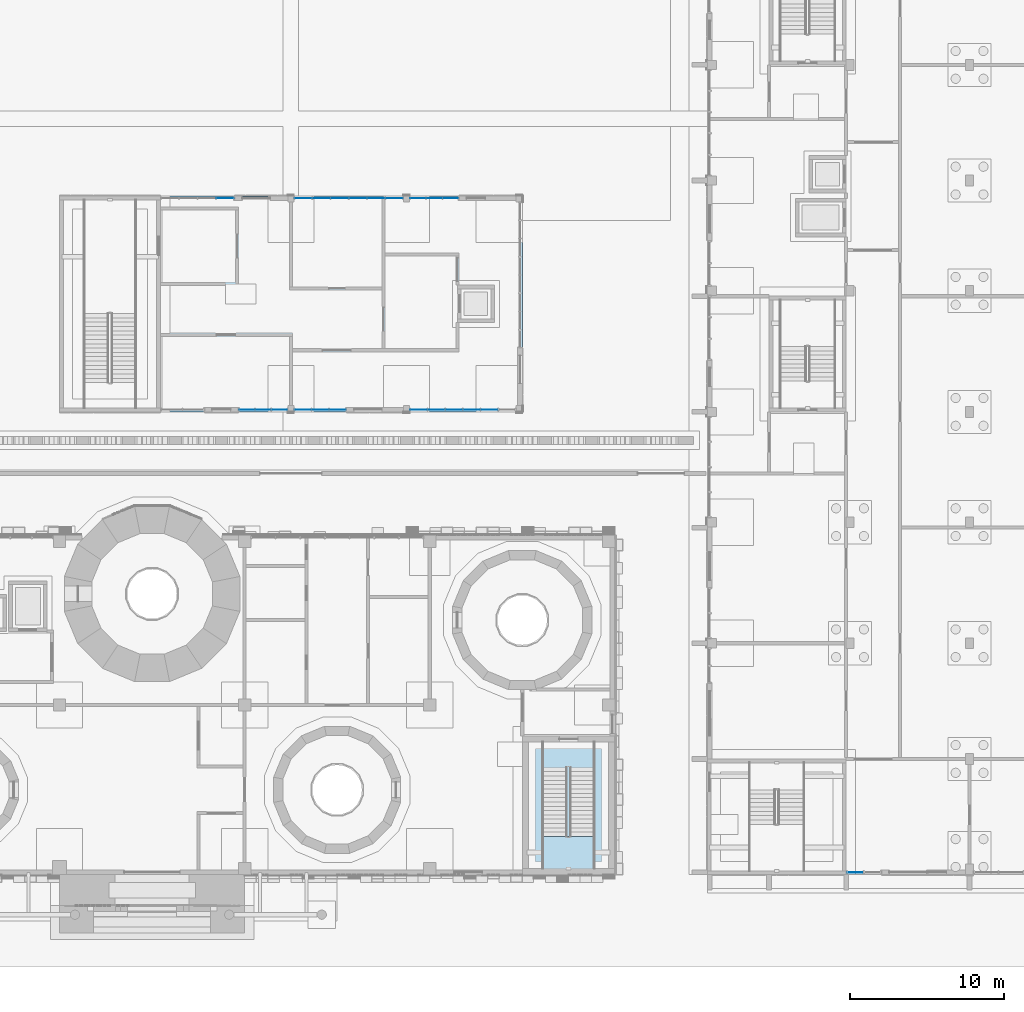
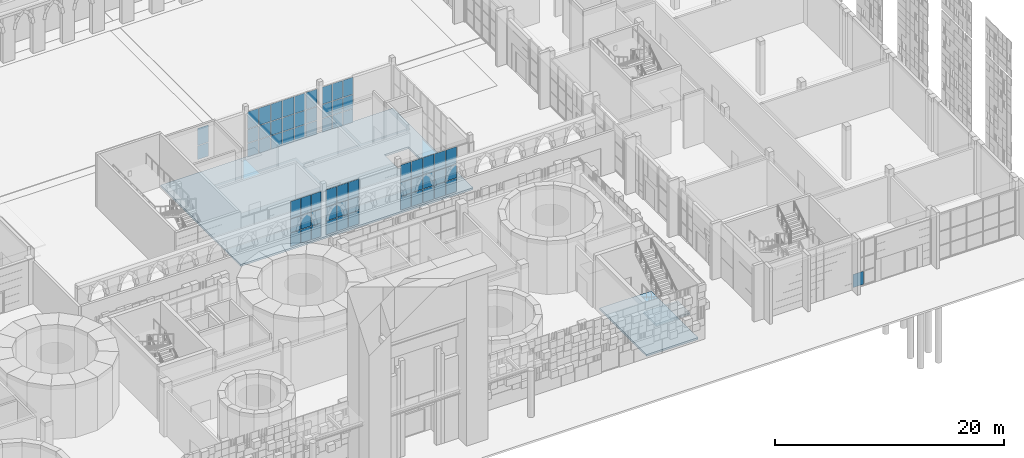
# One storey, part 42 of 125: 63 plates, 3 slabs, 8 elements without a shape of their own.
"""IFC4 building model written with IfcOpenShell, lengths in metres."""

from ifc_helpers import new_model, si_unit, direction, frame, origin, origin_2d, place, context, subcontext, project, spatial, polyline, rectangle, outline, extrude, material, layer, layer_set, type_object, element, aggregate, save


model = new_model("IFC4")

# Units and contexts
model_context = context("Model", 3, precision=1e-05, world=origin(), true_north=direction((0.0, 1.0)))
body_context = subcontext(model_context, "Body", "Model", "MODEL_VIEW")
ifc_project = project(units=[si_unit("LENGTHUNIT", "METRE"), si_unit("AREAUNIT", "SQUARE_METRE"), si_unit("VOLUMEUNIT", "CUBIC_METRE"), si_unit("PLANEANGLEUNIT", "RADIAN"), si_unit("MASSUNIT", "GRAM", prefix="KILO")], contexts=[model_context])

# Site, building, storey
site_placement = place(None, origin())
site = spatial("IfcSite", under=ifc_project, at=site_placement, CompositionType="ELEMENT")
building_placement = place(site_placement, origin())
building = spatial("IfcBuilding", under=site, at=building_placement, Name="Sun Court Science Centre", CompositionType="ELEMENT")
storey_placement = place(building_placement, origin())
storey = spatial("IfcBuildingStorey", under=building, at=storey_placement, Name="L00", CompositionType="ELEMENT", Elevation=0.0)

# Curtain wall, plates
ifc_material_1 = material(Name="Aluminium EN AW-6063 T6", Category="aluminium")
curtain_wall_type_1 = type_object("IfcCurtainWallType", Name="Pavilion curtain wall 1200", PredefinedType="NOTDEFINED", material=ifc_material_1)
curtain_wall_1_placement = place(storey_placement, origin())
curtain_wall_1 = element("IfcCurtainWall", 1, at=curtain_wall_1_placement, inside=storey, type_object=curtain_wall_type_1, Name="Curtain wall V5 S L00 01", PredefinedType="NOTDEFINED")
ifc_material_2 = material(Name="Toughened safety glass", Category="glass")
ifc_layer_1 = layer(ifc_material_2, 0.0107421875)
ifc_layer_set_1 = layer_set([ifc_layer_1], Name="Toughened safety glass")
plate_type_1 = type_object("IfcPlateType", Name="Pavilion toughened glazing panel 10.8", PredefinedType="CURTAIN_PANEL", material=ifc_layer_set_1)
plate_1_placement = place(storey_placement, frame((59.28759765625, 36.14990234375, 0.0498046875), z_axis=(0.0, 0.0, 1.0), x_axis=(-1.0, 0.0, 0.0)))
plate_1 = element("IfcPlate", 2, at=plate_1_placement, type_object=plate_type_1, Name="CW3-01 panel 6.1", PredefinedType="CURTAIN_PANEL", context=body_context, shape_type="SweptSolid", body=[
    extrude(rectangle(XDim=1.074951171875, YDim=0.0107421875, at=origin_2d()), origin(), (0.0, 0.0, 1.0), 1.425048828125),
])
plate_2_placement = place(storey_placement, frame((60.425048828125, 36.14990234375, 0.0498046875), z_axis=(0.0, 0.0, 1.0), x_axis=(-1.0, 0.0, 0.0)))
plate_2 = element("IfcPlate", 3, at=plate_2_placement, type_object=plate_type_1, Name="CW3-01 panel 5.1", PredefinedType="CURTAIN_PANEL", context=body_context, shape_type="SweptSolid", body=[
    extrude(rectangle(XDim=1.10009765625, YDim=0.0107421875, at=origin_2d()), origin(), (0.0, 0.0, 1.0), 1.425048828125),
])
plate_3_placement = place(storey_placement, frame((61.574951171875, 36.14990234375, 0.0498046875), z_axis=(0.0, 0.0, 1.0), x_axis=(-1.0, 0.0, 0.0)))
plate_3 = element("IfcPlate", 4, at=plate_3_placement, type_object=plate_type_1, Name="CW3-01 panel 4.1", PredefinedType="CURTAIN_PANEL", context=body_context, shape_type="SweptSolid", body=[
    extrude(rectangle(XDim=1.10009765625, YDim=0.0107421875, at=origin_2d()), origin(), (0.0, 0.0, 1.0), 1.425048828125),
])
plate_4_placement = place(storey_placement, frame((62.72509765625, 36.14990234375, 0.0498046875), z_axis=(0.0, 0.0, 1.0), x_axis=(-1.0, 0.0, 0.0)))
plate_4 = element("IfcPlate", 5, at=plate_4_placement, type_object=plate_type_1, Name="CW3-01 panel 3.1", PredefinedType="CURTAIN_PANEL", context=body_context, shape_type="SweptSolid", body=[
    extrude(rectangle(XDim=1.10009765625, YDim=0.0107421875, at=origin_2d()), origin(), (0.0, 0.0, 1.0), 1.425048828125),
])
plate_5_placement = place(storey_placement, frame((63.875, 36.14990234375, 0.0498046875), z_axis=(0.0, 0.0, 1.0), x_axis=(-1.0, 0.0, 0.0)))
plate_5 = element("IfcPlate", 6, at=plate_5_placement, type_object=plate_type_1, Name="CW3-01 panel 2.1", PredefinedType="CURTAIN_PANEL", context=body_context, shape_type="SweptSolid", body=[
    extrude(rectangle(XDim=1.10009765625, YDim=0.0107421875, at=origin_2d()), origin(), (0.0, 0.0, 1.0), 1.425048828125),
])
plate_6_placement = place(storey_placement, frame((59.28759765625, 36.14990234375, 1.52490234375), z_axis=(0.0, 0.0, 1.0), x_axis=(-1.0, 0.0, 0.0)))
plate_6 = element("IfcPlate", 7, at=plate_6_placement, type_object=plate_type_1, Name="CW3-01 panel 6.2", PredefinedType="CURTAIN_PANEL", context=body_context, shape_type="SweptSolid", body=[
    extrude(rectangle(XDim=1.074951171875, YDim=0.0107421875, at=origin_2d()), origin(), (0.0, 0.0, 1.0), 1.449951171875),
])
plate_7_placement = place(storey_placement, frame((60.425048828125, 36.14990234375, 1.52490234375), z_axis=(0.0, 0.0, 1.0), x_axis=(-1.0, 0.0, 0.0)))
plate_7 = element("IfcPlate", 8, at=plate_7_placement, type_object=plate_type_1, Name="CW3-01 panel 5.2", PredefinedType="CURTAIN_PANEL", context=body_context, shape_type="SweptSolid", body=[
    extrude(rectangle(XDim=1.10009765625, YDim=0.0107421875, at=origin_2d()), origin(), (0.0, 0.0, 1.0), 1.449951171875),
])
plate_8_placement = place(storey_placement, frame((61.574951171875, 36.14990234375, 1.52490234375), z_axis=(0.0, 0.0, 1.0), x_axis=(-1.0, 0.0, 0.0)))
plate_8 = element("IfcPlate", 9, at=plate_8_placement, type_object=plate_type_1, Name="CW3-01 panel 4.2", PredefinedType="CURTAIN_PANEL", context=body_context, shape_type="SweptSolid", body=[
    extrude(rectangle(XDim=1.10009765625, YDim=0.0107421875, at=origin_2d()), origin(), (0.0, 0.0, 1.0), 1.449951171875),
])
plate_9_placement = place(storey_placement, frame((62.72509765625, 36.14990234375, 1.52490234375), z_axis=(0.0, 0.0, 1.0), x_axis=(-1.0, 0.0, 0.0)))
plate_9 = element("IfcPlate", 10, at=plate_9_placement, type_object=plate_type_1, Name="CW3-01 panel 3.2", PredefinedType="CURTAIN_PANEL", context=body_context, shape_type="SweptSolid", body=[
    extrude(rectangle(XDim=1.10009765625, YDim=0.0107421875, at=origin_2d()), origin(), (0.0, 0.0, 1.0), 1.449951171875),
])
plate_10_placement = place(storey_placement, frame((63.875, 36.14990234375, 1.52490234375), z_axis=(0.0, 0.0, 1.0), x_axis=(-1.0, 0.0, 0.0)))
plate_10 = element("IfcPlate", 11, at=plate_10_placement, type_object=plate_type_1, Name="CW3-01 panel 2.2", PredefinedType="CURTAIN_PANEL", context=body_context, shape_type="SweptSolid", body=[
    extrude(rectangle(XDim=1.10009765625, YDim=0.0107421875, at=origin_2d()), origin(), (0.0, 0.0, 1.0), 1.449951171875),
])
plate_11_placement = place(storey_placement, frame((59.28759765625, 36.14990234375, 3.02490234375), z_axis=(0.0, 0.0, 1.0), x_axis=(-1.0, 0.0, 0.0)))
plate_11 = element("IfcPlate", 12, at=plate_11_placement, type_object=plate_type_1, Name="CW3-01 panel 6.3", PredefinedType="CURTAIN_PANEL", context=body_context, shape_type="SweptSolid", body=[
    extrude(rectangle(XDim=1.074951171875, YDim=0.0107421875, at=origin_2d()), origin(), (0.0, 0.0, 1.0), 1.824951171875),
])
plate_12_placement = place(storey_placement, frame((60.425048828125, 36.14990234375, 3.02490234375), z_axis=(0.0, 0.0, 1.0), x_axis=(-1.0, 0.0, 0.0)))
plate_12 = element("IfcPlate", 13, at=plate_12_placement, type_object=plate_type_1, Name="CW3-01 panel 5.3", PredefinedType="CURTAIN_PANEL", context=body_context, shape_type="SweptSolid", body=[
    extrude(rectangle(XDim=1.10009765625, YDim=0.0107421875, at=origin_2d()), origin(), (0.0, 0.0, 1.0), 1.824951171875),
])
plate_13_placement = place(storey_placement, frame((61.574951171875, 36.14990234375, 3.02490234375), z_axis=(0.0, 0.0, 1.0), x_axis=(-1.0, 0.0, 0.0)))
plate_13 = element("IfcPlate", 14, at=plate_13_placement, type_object=plate_type_1, Name="CW3-01 panel 4.3", PredefinedType="CURTAIN_PANEL", context=body_context, shape_type="SweptSolid", body=[
    extrude(rectangle(XDim=1.10009765625, YDim=0.0107421875, at=origin_2d()), origin(), (0.0, 0.0, 1.0), 1.824951171875),
])
plate_14_placement = place(storey_placement, frame((62.72509765625, 36.14990234375, 3.02490234375), z_axis=(0.0, 0.0, 1.0), x_axis=(-1.0, 0.0, 0.0)))
plate_14 = element("IfcPlate", 15, at=plate_14_placement, type_object=plate_type_1, Name="CW3-01 panel 3.3", PredefinedType="CURTAIN_PANEL", context=body_context, shape_type="SweptSolid", body=[
    extrude(rectangle(XDim=1.10009765625, YDim=0.0107421875, at=origin_2d()), origin(), (0.0, 0.0, 1.0), 1.824951171875),
])
plate_15_placement = place(storey_placement, frame((63.875, 36.14990234375, 3.02490234375), z_axis=(0.0, 0.0, 1.0), x_axis=(-1.0, 0.0, 0.0)))
plate_15 = element("IfcPlate", 16, at=plate_15_placement, type_object=plate_type_1, Name="CW3-01 panel 2.3", PredefinedType="CURTAIN_PANEL", context=body_context, shape_type="SweptSolid", body=[
    extrude(rectangle(XDim=1.10009765625, YDim=0.0107421875, at=origin_2d()), origin(), (0.0, 0.0, 1.0), 1.824951171875),
])
aggregate(curtain_wall_1, [plate_1, plate_2, plate_3, plate_4, plate_5, plate_6, plate_7, plate_8, plate_9, plate_10, plate_11, plate_12, plate_13, plate_14, plate_15])

curtain_wall_2_placement = place(storey_placement, origin())
curtain_wall_2 = element("IfcCurtainWall", 17, at=curtain_wall_2_placement, inside=storey, type_object=curtain_wall_type_1, Name="Curtain wall V5 S L00 02", PredefinedType="NOTDEFINED")
plate_16_placement = place(storey_placement, frame((51.779052734375, 36.14990234375, 0.0498046875), z_axis=(0.0, 0.0, 1.0), x_axis=(-1.0, 0.0, 0.0)))
plate_16 = element("IfcPlate", 18, at=plate_16_placement, type_object=plate_type_1, Name="CW3-02 panel 3.1", PredefinedType="CURTAIN_PANEL", context=body_context, shape_type="SweptSolid", body=[
    extrude(rectangle(XDim=1.058349609375, YDim=0.0107421875, at=origin_2d()), origin(), (0.0, 0.0, 1.0), 1.425048828125),
])
plate_17_placement = place(storey_placement, frame((52.89990234375, 36.14990234375, 0.0498046875), z_axis=(0.0, 0.0, 1.0), x_axis=(-1.0, 0.0, 0.0)))
plate_17 = element("IfcPlate", 19, at=plate_17_placement, type_object=plate_type_1, Name="CW3-02 panel 2.1", PredefinedType="CURTAIN_PANEL", context=body_context, shape_type="SweptSolid", body=[
    extrude(rectangle(XDim=1.083251953125, YDim=0.0107421875, at=origin_2d()), origin(), (0.0, 0.0, 1.0), 1.425048828125),
])
plate_18_placement = place(storey_placement, frame((54.020751953125, 36.14990234375, 0.0498046875), z_axis=(0.0, 0.0, 1.0), x_axis=(-1.0, 0.0, 0.0)))
plate_18 = element("IfcPlate", 20, at=plate_18_placement, type_object=plate_type_1, Name="CW3-02 panel 1.1", PredefinedType="CURTAIN_PANEL", context=body_context, shape_type="SweptSolid", body=[
    extrude(rectangle(XDim=1.058349609375, YDim=0.0107421875, at=origin_2d()), origin(), (0.0, 0.0, 1.0), 1.425048828125),
])
plate_19_placement = place(storey_placement, frame((51.779052734375, 36.14990234375, 1.52490234375), z_axis=(0.0, 0.0, 1.0), x_axis=(-1.0, 0.0, 0.0)))
plate_19 = element("IfcPlate", 21, at=plate_19_placement, type_object=plate_type_1, Name="CW3-02 panel 3.2", PredefinedType="CURTAIN_PANEL", context=body_context, shape_type="SweptSolid", body=[
    extrude(rectangle(XDim=1.058349609375, YDim=0.0107421875, at=origin_2d()), origin(), (0.0, 0.0, 1.0), 1.449951171875),
])
plate_20_placement = place(storey_placement, frame((52.89990234375, 36.14990234375, 1.52490234375), z_axis=(0.0, 0.0, 1.0), x_axis=(-1.0, 0.0, 0.0)))
plate_20 = element("IfcPlate", 22, at=plate_20_placement, type_object=plate_type_1, Name="CW3-02 panel 2.2", PredefinedType="CURTAIN_PANEL", context=body_context, shape_type="SweptSolid", body=[
    extrude(rectangle(XDim=1.083251953125, YDim=0.0107421875, at=origin_2d()), origin(), (0.0, 0.0, 1.0), 1.449951171875),
])
plate_21_placement = place(storey_placement, frame((54.020751953125, 36.14990234375, 1.52490234375), z_axis=(0.0, 0.0, 1.0), x_axis=(-1.0, 0.0, 0.0)))
plate_21 = element("IfcPlate", 23, at=plate_21_placement, type_object=plate_type_1, Name="CW3-02 panel 1.2", PredefinedType="CURTAIN_PANEL", context=body_context, shape_type="SweptSolid", body=[
    extrude(rectangle(XDim=1.058349609375, YDim=0.0107421875, at=origin_2d()), origin(), (0.0, 0.0, 1.0), 1.449951171875),
])
plate_22_placement = place(storey_placement, frame((51.779052734375, 36.14990234375, 3.02490234375), z_axis=(0.0, 0.0, 1.0), x_axis=(-1.0, 0.0, 0.0)))
plate_22 = element("IfcPlate", 24, at=plate_22_placement, type_object=plate_type_1, Name="CW3-02 panel 3.3", PredefinedType="CURTAIN_PANEL", context=body_context, shape_type="SweptSolid", body=[
    extrude(rectangle(XDim=1.058349609375, YDim=0.0107421875, at=origin_2d()), origin(), (0.0, 0.0, 1.0), 1.824951171875),
])
plate_23_placement = place(storey_placement, frame((52.89990234375, 36.14990234375, 3.02490234375), z_axis=(0.0, 0.0, 1.0), x_axis=(-1.0, 0.0, 0.0)))
plate_23 = element("IfcPlate", 25, at=plate_23_placement, type_object=plate_type_1, Name="CW3-02 panel 2.3", PredefinedType="CURTAIN_PANEL", context=body_context, shape_type="SweptSolid", body=[
    extrude(rectangle(XDim=1.083251953125, YDim=0.0107421875, at=origin_2d()), origin(), (0.0, 0.0, 1.0), 1.824951171875),
])
plate_24_placement = place(storey_placement, frame((54.020751953125, 36.14990234375, 3.02490234375), z_axis=(0.0, 0.0, 1.0), x_axis=(-1.0, 0.0, 0.0)))
plate_24 = element("IfcPlate", 26, at=plate_24_placement, type_object=plate_type_1, Name="CW3-02 panel 1.3", PredefinedType="CURTAIN_PANEL", context=body_context, shape_type="SweptSolid", body=[
    extrude(rectangle(XDim=1.058349609375, YDim=0.0107421875, at=origin_2d()), origin(), (0.0, 0.0, 1.0), 1.824951171875),
])
aggregate(curtain_wall_2, [plate_16, plate_17, plate_18, plate_19, plate_20, plate_21, plate_22, plate_23, plate_24])

curtain_wall_3_placement = place(storey_placement, origin())
curtain_wall_3 = element("IfcCurtainWall", 27, at=curtain_wall_3_placement, inside=storey, type_object=curtain_wall_type_1, Name="Curtain wall V5 S L00 03", PredefinedType="NOTDEFINED")
plate_25_placement = place(storey_placement, frame((48.145751953125, 36.14990234375, 0.0498046875), z_axis=(0.0, 0.0, 1.0), x_axis=(-1.0, 0.0, 0.0)))
plate_25 = element("IfcPlate", 28, at=plate_25_placement, type_object=plate_type_1, Name="CW3-03 panel 3.1", PredefinedType="CURTAIN_PANEL", context=body_context, shape_type="SweptSolid", body=[
    extrude(rectangle(XDim=0.99169921875, YDim=0.0107421875, at=origin_2d()), origin(), (0.0, 0.0, 1.0), 1.425048828125),
])
plate_26_placement = place(storey_placement, frame((49.199951171875, 36.14990234375, 0.0498046875), z_axis=(0.0, 0.0, 1.0), x_axis=(-1.0, 0.0, 0.0)))
plate_26 = element("IfcPlate", 29, at=plate_26_placement, type_object=plate_type_1, Name="CW3-03 panel 2.1", PredefinedType="CURTAIN_PANEL", context=body_context, shape_type="SweptSolid", body=[
    extrude(rectangle(XDim=1.0166015625, YDim=0.0107421875, at=origin_2d()), origin(), (0.0, 0.0, 1.0), 1.425048828125),
])
plate_27_placement = place(storey_placement, frame((50.254150390625, 36.14990234375, 0.0498046875), z_axis=(0.0, 0.0, 1.0), x_axis=(-1.0, 0.0, 0.0)))
plate_27 = element("IfcPlate", 30, at=plate_27_placement, type_object=plate_type_1, Name="CW3-03 panel 1.1", PredefinedType="CURTAIN_PANEL", context=body_context, shape_type="SweptSolid", body=[
    extrude(rectangle(XDim=0.99169921875, YDim=0.0107421875, at=origin_2d()), origin(), (0.0, 0.0, 1.0), 1.425048828125),
])
plate_28_placement = place(storey_placement, frame((48.145751953125, 36.14990234375, 1.52490234375), z_axis=(0.0, 0.0, 1.0), x_axis=(-1.0, 0.0, 0.0)))
plate_28 = element("IfcPlate", 31, at=plate_28_placement, type_object=plate_type_1, Name="CW3-03 panel 3.2", PredefinedType="CURTAIN_PANEL", context=body_context, shape_type="SweptSolid", body=[
    extrude(rectangle(XDim=0.99169921875, YDim=0.0107421875, at=origin_2d()), origin(), (0.0, 0.0, 1.0), 1.449951171875),
])
plate_29_placement = place(storey_placement, frame((49.199951171875, 36.14990234375, 1.52490234375), z_axis=(0.0, 0.0, 1.0), x_axis=(-1.0, 0.0, 0.0)))
plate_29 = element("IfcPlate", 32, at=plate_29_placement, type_object=plate_type_1, Name="CW3-03 panel 2.2", PredefinedType="CURTAIN_PANEL", context=body_context, shape_type="SweptSolid", body=[
    extrude(rectangle(XDim=1.0166015625, YDim=0.0107421875, at=origin_2d()), origin(), (0.0, 0.0, 1.0), 1.449951171875),
])
plate_30_placement = place(storey_placement, frame((50.254150390625, 36.14990234375, 1.52490234375), z_axis=(0.0, 0.0, 1.0), x_axis=(-1.0, 0.0, 0.0)))
plate_30 = element("IfcPlate", 33, at=plate_30_placement, type_object=plate_type_1, Name="CW3-03 panel 1.2", PredefinedType="CURTAIN_PANEL", context=body_context, shape_type="SweptSolid", body=[
    extrude(rectangle(XDim=0.99169921875, YDim=0.0107421875, at=origin_2d()), origin(), (0.0, 0.0, 1.0), 1.449951171875),
])
plate_31_placement = place(storey_placement, frame((48.145751953125, 36.14990234375, 3.02490234375), z_axis=(0.0, 0.0, 1.0), x_axis=(-1.0, 0.0, 0.0)))
plate_31 = element("IfcPlate", 34, at=plate_31_placement, type_object=plate_type_1, Name="CW3-03 panel 3.3", PredefinedType="CURTAIN_PANEL", context=body_context, shape_type="SweptSolid", body=[
    extrude(rectangle(XDim=0.99169921875, YDim=0.0107421875, at=origin_2d()), origin(), (0.0, 0.0, 1.0), 1.824951171875),
])
plate_32_placement = place(storey_placement, frame((49.199951171875, 36.14990234375, 3.02490234375), z_axis=(0.0, 0.0, 1.0), x_axis=(-1.0, 0.0, 0.0)))
plate_32 = element("IfcPlate", 35, at=plate_32_placement, type_object=plate_type_1, Name="CW3-03 panel 2.3", PredefinedType="CURTAIN_PANEL", context=body_context, shape_type="SweptSolid", body=[
    extrude(rectangle(XDim=1.0166015625, YDim=0.0107421875, at=origin_2d()), origin(), (0.0, 0.0, 1.0), 1.824951171875),
])
plate_33_placement = place(storey_placement, frame((50.254150390625, 36.14990234375, 3.02490234375), z_axis=(0.0, 0.0, 1.0), x_axis=(-1.0, 0.0, 0.0)))
plate_33 = element("IfcPlate", 36, at=plate_33_placement, type_object=plate_type_1, Name="CW3-03 panel 1.3", PredefinedType="CURTAIN_PANEL", context=body_context, shape_type="SweptSolid", body=[
    extrude(rectangle(XDim=0.99169921875, YDim=0.0107421875, at=origin_2d()), origin(), (0.0, 0.0, 1.0), 1.824951171875),
])
aggregate(curtain_wall_3, [plate_25, plate_26, plate_27, plate_28, plate_29, plate_30, plate_31, plate_32, plate_33])

curtain_wall_4_placement = place(storey_placement, origin())
curtain_wall_4 = element("IfcCurtainWall", 37, at=curtain_wall_4_placement, inside=storey, type_object=curtain_wall_type_1, Name="Curtain wall V5 N L00 01", PredefinedType="NOTDEFINED")
plate_34_placement = place(storey_placement, frame((46.737548828125, 49.85009765625, 1.52490234375), z_axis=(0.0, 0.0, 1.0), x_axis=(1.0, 0.0, 0.0)))
plate_34 = element("IfcPlate", 38, at=plate_34_placement, type_object=plate_type_1, Name="CW3-11 panel 4.2", PredefinedType="CURTAIN_PANEL", context=body_context, shape_type="SweptSolid", body=[
    extrude(rectangle(XDim=1.125, YDim=0.0107421875, at=origin_2d()), origin(), (0.0, 0.0, 1.0), 1.449951171875),
])
plate_35_placement = place(storey_placement, frame((46.737548828125, 49.85009765625, 3.02490234375), z_axis=(0.0, 0.0, 1.0), x_axis=(1.0, 0.0, 0.0)))
plate_35 = element("IfcPlate", 39, at=plate_35_placement, type_object=plate_type_1, Name="CW3-11 panel 4.3", PredefinedType="CURTAIN_PANEL", context=body_context, shape_type="SweptSolid", body=[
    extrude(rectangle(XDim=1.125, YDim=0.0107421875, at=origin_2d()), origin(), (0.0, 0.0, 1.0), 1.824951171875),
])
aggregate(curtain_wall_4, [plate_34, plate_35])

curtain_wall_5_placement = place(storey_placement, origin())
curtain_wall_5 = element("IfcCurtainWall", 40, at=curtain_wall_5_placement, inside=storey, type_object=curtain_wall_type_1, Name="Curtain wall V5 N L00 02", PredefinedType="NOTDEFINED")
plate_36_placement = place(storey_placement, frame((51.80419921875, 49.85009765625, 0.0498046875), z_axis=(0.0, 0.0, 1.0), x_axis=(1.0, 0.0, 0.0)))
plate_36 = element("IfcPlate", 41, at=plate_36_placement, type_object=plate_type_1, Name="CW3-12 panel 1.1", PredefinedType="CURTAIN_PANEL", context=body_context, shape_type="SweptSolid", body=[
    extrude(rectangle(XDim=1.1083984375, YDim=0.0107421875, at=origin_2d()), origin(), (0.0, 0.0, 1.0), 1.425048828125),
])
plate_37_placement = place(storey_placement, frame((52.97509765625, 49.85009765625, 0.0498046875), z_axis=(0.0, 0.0, 1.0), x_axis=(1.0, 0.0, 0.0)))
plate_37 = element("IfcPlate", 42, at=plate_37_placement, type_object=plate_type_1, Name="CW3-12 panel 2.1", PredefinedType="CURTAIN_PANEL", context=body_context, shape_type="SweptSolid", body=[
    extrude(rectangle(XDim=1.13330078125, YDim=0.0107421875, at=origin_2d()), origin(), (0.0, 0.0, 1.0), 1.425048828125),
])
plate_38_placement = place(storey_placement, frame((54.158447265625, 49.85009765625, 0.0498046875), z_axis=(0.0, 0.0, 1.0), x_axis=(1.0, 0.0, 0.0)))
plate_38 = element("IfcPlate", 43, at=plate_38_placement, type_object=plate_type_1, Name="CW3-12 panel 3.1", PredefinedType="CURTAIN_PANEL", context=body_context, shape_type="SweptSolid", body=[
    extrude(rectangle(XDim=1.13330078125, YDim=0.0107421875, at=origin_2d()), origin(), (0.0, 0.0, 1.0), 1.425048828125),
])
plate_39_placement = place(storey_placement, frame((55.341552734375, 49.85009765625, 0.0498046875), z_axis=(0.0, 0.0, 1.0), x_axis=(1.0, 0.0, 0.0)))
plate_39 = element("IfcPlate", 44, at=plate_39_placement, type_object=plate_type_1, Name="CW3-12 panel 4.1", PredefinedType="CURTAIN_PANEL", context=body_context, shape_type="SweptSolid", body=[
    extrude(rectangle(XDim=1.13330078125, YDim=0.0107421875, at=origin_2d()), origin(), (0.0, 0.0, 1.0), 1.425048828125),
])
plate_40_placement = place(storey_placement, frame((56.52490234375, 49.85009765625, 0.0498046875), z_axis=(0.0, 0.0, 1.0), x_axis=(1.0, 0.0, 0.0)))
plate_40 = element("IfcPlate", 45, at=plate_40_placement, type_object=plate_type_1, Name="CW3-12 panel 5.1", PredefinedType="CURTAIN_PANEL", context=body_context, shape_type="SweptSolid", body=[
    extrude(rectangle(XDim=1.13330078125, YDim=0.0107421875, at=origin_2d()), origin(), (0.0, 0.0, 1.0), 1.425048828125),
])
plate_41_placement = place(storey_placement, frame((57.69580078125, 49.85009765625, 0.0498046875), z_axis=(0.0, 0.0, 1.0), x_axis=(1.0, 0.0, 0.0)))
plate_41 = element("IfcPlate", 46, at=plate_41_placement, type_object=plate_type_1, Name="CW3-12 panel 6.1", PredefinedType="CURTAIN_PANEL", context=body_context, shape_type="SweptSolid", body=[
    extrude(rectangle(XDim=1.1083984375, YDim=0.0107421875, at=origin_2d()), origin(), (0.0, 0.0, 1.0), 1.425048828125),
])
plate_42_placement = place(storey_placement, frame((51.80419921875, 49.85009765625, 1.52490234375), z_axis=(0.0, 0.0, 1.0), x_axis=(1.0, 0.0, 0.0)))
plate_42 = element("IfcPlate", 47, at=plate_42_placement, type_object=plate_type_1, Name="CW3-12 panel 1.2", PredefinedType="CURTAIN_PANEL", context=body_context, shape_type="SweptSolid", body=[
    extrude(rectangle(XDim=1.1083984375, YDim=0.0107421875, at=origin_2d()), origin(), (0.0, 0.0, 1.0), 1.449951171875),
])
plate_43_placement = place(storey_placement, frame((52.97509765625, 49.85009765625, 1.52490234375), z_axis=(0.0, 0.0, 1.0), x_axis=(1.0, 0.0, 0.0)))
plate_43 = element("IfcPlate", 48, at=plate_43_placement, type_object=plate_type_1, Name="CW3-12 panel 2.2", PredefinedType="CURTAIN_PANEL", context=body_context, shape_type="SweptSolid", body=[
    extrude(rectangle(XDim=1.13330078125, YDim=0.0107421875, at=origin_2d()), origin(), (0.0, 0.0, 1.0), 1.449951171875),
])
plate_44_placement = place(storey_placement, frame((54.158447265625, 49.85009765625, 1.52490234375), z_axis=(0.0, 0.0, 1.0), x_axis=(1.0, 0.0, 0.0)))
plate_44 = element("IfcPlate", 49, at=plate_44_placement, type_object=plate_type_1, Name="CW3-12 panel 3.2", PredefinedType="CURTAIN_PANEL", context=body_context, shape_type="SweptSolid", body=[
    extrude(rectangle(XDim=1.13330078125, YDim=0.0107421875, at=origin_2d()), origin(), (0.0, 0.0, 1.0), 1.449951171875),
])
plate_45_placement = place(storey_placement, frame((55.341552734375, 49.85009765625, 1.52490234375), z_axis=(0.0, 0.0, 1.0), x_axis=(1.0, 0.0, 0.0)))
plate_45 = element("IfcPlate", 50, at=plate_45_placement, type_object=plate_type_1, Name="CW3-12 panel 4.2", PredefinedType="CURTAIN_PANEL", context=body_context, shape_type="SweptSolid", body=[
    extrude(rectangle(XDim=1.13330078125, YDim=0.0107421875, at=origin_2d()), origin(), (0.0, 0.0, 1.0), 1.449951171875),
])
plate_46_placement = place(storey_placement, frame((56.52490234375, 49.85009765625, 1.52490234375), z_axis=(0.0, 0.0, 1.0), x_axis=(1.0, 0.0, 0.0)))
plate_46 = element("IfcPlate", 51, at=plate_46_placement, type_object=plate_type_1, Name="CW3-12 panel 5.2", PredefinedType="CURTAIN_PANEL", context=body_context, shape_type="SweptSolid", body=[
    extrude(rectangle(XDim=1.13330078125, YDim=0.0107421875, at=origin_2d()), origin(), (0.0, 0.0, 1.0), 1.449951171875),
])
plate_47_placement = place(storey_placement, frame((57.69580078125, 49.85009765625, 1.52490234375), z_axis=(0.0, 0.0, 1.0), x_axis=(1.0, 0.0, 0.0)))
plate_47 = element("IfcPlate", 52, at=plate_47_placement, type_object=plate_type_1, Name="CW3-12 panel 6.2", PredefinedType="CURTAIN_PANEL", context=body_context, shape_type="SweptSolid", body=[
    extrude(rectangle(XDim=1.1083984375, YDim=0.0107421875, at=origin_2d()), origin(), (0.0, 0.0, 1.0), 1.449951171875),
])
plate_48_placement = place(storey_placement, frame((51.80419921875, 49.85009765625, 3.02490234375), z_axis=(0.0, 0.0, 1.0), x_axis=(1.0, 0.0, 0.0)))
plate_48 = element("IfcPlate", 53, at=plate_48_placement, type_object=plate_type_1, Name="CW3-12 panel 1.3", PredefinedType="CURTAIN_PANEL", context=body_context, shape_type="SweptSolid", body=[
    extrude(rectangle(XDim=1.1083984375, YDim=0.0107421875, at=origin_2d()), origin(), (0.0, 0.0, 1.0), 1.824951171875),
])
plate_49_placement = place(storey_placement, frame((52.97509765625, 49.85009765625, 3.02490234375), z_axis=(0.0, 0.0, 1.0), x_axis=(1.0, 0.0, 0.0)))
plate_49 = element("IfcPlate", 54, at=plate_49_placement, type_object=plate_type_1, Name="CW3-12 panel 2.3", PredefinedType="CURTAIN_PANEL", context=body_context, shape_type="SweptSolid", body=[
    extrude(rectangle(XDim=1.13330078125, YDim=0.0107421875, at=origin_2d()), origin(), (0.0, 0.0, 1.0), 1.824951171875),
])
plate_50_placement = place(storey_placement, frame((54.158447265625, 49.85009765625, 3.02490234375), z_axis=(0.0, 0.0, 1.0), x_axis=(1.0, 0.0, 0.0)))
plate_50 = element("IfcPlate", 55, at=plate_50_placement, type_object=plate_type_1, Name="CW3-12 panel 3.3", PredefinedType="CURTAIN_PANEL", context=body_context, shape_type="SweptSolid", body=[
    extrude(rectangle(XDim=1.13330078125, YDim=0.0107421875, at=origin_2d()), origin(), (0.0, 0.0, 1.0), 1.824951171875),
])
plate_51_placement = place(storey_placement, frame((55.341552734375, 49.85009765625, 3.02490234375), z_axis=(0.0, 0.0, 1.0), x_axis=(1.0, 0.0, 0.0)))
plate_51 = element("IfcPlate", 56, at=plate_51_placement, type_object=plate_type_1, Name="CW3-12 panel 4.3", PredefinedType="CURTAIN_PANEL", context=body_context, shape_type="SweptSolid", body=[
    extrude(rectangle(XDim=1.13330078125, YDim=0.0107421875, at=origin_2d()), origin(), (0.0, 0.0, 1.0), 1.824951171875),
])
plate_52_placement = place(storey_placement, frame((56.52490234375, 49.85009765625, 3.02490234375), z_axis=(0.0, 0.0, 1.0), x_axis=(1.0, 0.0, 0.0)))
plate_52 = element("IfcPlate", 57, at=plate_52_placement, type_object=plate_type_1, Name="CW3-12 panel 5.3", PredefinedType="CURTAIN_PANEL", context=body_context, shape_type="SweptSolid", body=[
    extrude(rectangle(XDim=1.13330078125, YDim=0.0107421875, at=origin_2d()), origin(), (0.0, 0.0, 1.0), 1.824951171875),
])
plate_53_placement = place(storey_placement, frame((57.69580078125, 49.85009765625, 3.02490234375), z_axis=(0.0, 0.0, 1.0), x_axis=(1.0, 0.0, 0.0)))
plate_53 = element("IfcPlate", 58, at=plate_53_placement, type_object=plate_type_1, Name="CW3-12 panel 6.3", PredefinedType="CURTAIN_PANEL", context=body_context, shape_type="SweptSolid", body=[
    extrude(rectangle(XDim=1.1083984375, YDim=0.0107421875, at=origin_2d()), origin(), (0.0, 0.0, 1.0), 1.824951171875),
])
aggregate(curtain_wall_5, [plate_36, plate_37, plate_38, plate_39, plate_40, plate_41, plate_42, plate_43, plate_44, plate_45, plate_46, plate_47, plate_48, plate_49, plate_50, plate_51, plate_52, plate_53])

curtain_wall_6_placement = place(storey_placement, origin())
curtain_wall_6 = element("IfcCurtainWall", 59, at=curtain_wall_6_placement, inside=storey, type_object=curtain_wall_type_1, Name="Curtain wall V5 N L00 03", PredefinedType="NOTDEFINED")
plate_54_placement = place(storey_placement, frame((59.245849609375, 49.85009765625, 0.0498046875), z_axis=(0.0, 0.0, 1.0), x_axis=(1.0, 0.0, 0.0)))
plate_54 = element("IfcPlate", 60, at=plate_54_placement, type_object=plate_type_1, Name="CW3-13 panel 1.1", PredefinedType="CURTAIN_PANEL", context=body_context, shape_type="SweptSolid", body=[
    extrude(rectangle(XDim=0.99169921875, YDim=0.0107421875, at=origin_2d()), origin(), (0.0, 0.0, 1.0), 1.425048828125),
])
plate_55_placement = place(storey_placement, frame((60.300048828125, 49.85009765625, 0.0498046875), z_axis=(0.0, 0.0, 1.0), x_axis=(1.0, 0.0, 0.0)))
plate_55 = element("IfcPlate", 61, at=plate_55_placement, type_object=plate_type_1, Name="CW3-13 panel 2.1", PredefinedType="CURTAIN_PANEL", context=body_context, shape_type="SweptSolid", body=[
    extrude(rectangle(XDim=1.0166015625, YDim=0.0107421875, at=origin_2d()), origin(), (0.0, 0.0, 1.0), 1.425048828125),
])
plate_56_placement = place(storey_placement, frame((61.354248046875, 49.85009765625, 0.0498046875), z_axis=(0.0, 0.0, 1.0), x_axis=(1.0, 0.0, 0.0)))
plate_56 = element("IfcPlate", 62, at=plate_56_placement, type_object=plate_type_1, Name="CW3-13 panel 3.1", PredefinedType="CURTAIN_PANEL", context=body_context, shape_type="SweptSolid", body=[
    extrude(rectangle(XDim=0.99169921875, YDim=0.0107421875, at=origin_2d()), origin(), (0.0, 0.0, 1.0), 1.425048828125),
])
plate_57_placement = place(storey_placement, frame((59.245849609375, 49.85009765625, 1.52490234375), z_axis=(0.0, 0.0, 1.0), x_axis=(1.0, 0.0, 0.0)))
plate_57 = element("IfcPlate", 63, at=plate_57_placement, type_object=plate_type_1, Name="CW3-13 panel 1.2", PredefinedType="CURTAIN_PANEL", context=body_context, shape_type="SweptSolid", body=[
    extrude(rectangle(XDim=0.99169921875, YDim=0.0107421875, at=origin_2d()), origin(), (0.0, 0.0, 1.0), 1.449951171875),
])
plate_58_placement = place(storey_placement, frame((60.300048828125, 49.85009765625, 1.52490234375), z_axis=(0.0, 0.0, 1.0), x_axis=(1.0, 0.0, 0.0)))
plate_58 = element("IfcPlate", 64, at=plate_58_placement, type_object=plate_type_1, Name="CW3-13 panel 2.2", PredefinedType="CURTAIN_PANEL", context=body_context, shape_type="SweptSolid", body=[
    extrude(rectangle(XDim=1.0166015625, YDim=0.0107421875, at=origin_2d()), origin(), (0.0, 0.0, 1.0), 1.449951171875),
])
plate_59_placement = place(storey_placement, frame((61.354248046875, 49.85009765625, 1.52490234375), z_axis=(0.0, 0.0, 1.0), x_axis=(1.0, 0.0, 0.0)))
plate_59 = element("IfcPlate", 65, at=plate_59_placement, type_object=plate_type_1, Name="CW3-13 panel 3.2", PredefinedType="CURTAIN_PANEL", context=body_context, shape_type="SweptSolid", body=[
    extrude(rectangle(XDim=0.99169921875, YDim=0.0107421875, at=origin_2d()), origin(), (0.0, 0.0, 1.0), 1.449951171875),
])
plate_60_placement = place(storey_placement, frame((59.245849609375, 49.85009765625, 3.02490234375), z_axis=(0.0, 0.0, 1.0), x_axis=(1.0, 0.0, 0.0)))
plate_60 = element("IfcPlate", 66, at=plate_60_placement, type_object=plate_type_1, Name="CW3-13 panel 1.3", PredefinedType="CURTAIN_PANEL", context=body_context, shape_type="SweptSolid", body=[
    extrude(rectangle(XDim=0.99169921875, YDim=0.0107421875, at=origin_2d()), origin(), (0.0, 0.0, 1.0), 1.824951171875),
])
plate_61_placement = place(storey_placement, frame((60.300048828125, 49.85009765625, 3.02490234375), z_axis=(0.0, 0.0, 1.0), x_axis=(1.0, 0.0, 0.0)))
plate_61 = element("IfcPlate", 67, at=plate_61_placement, type_object=plate_type_1, Name="CW3-13 panel 2.3", PredefinedType="CURTAIN_PANEL", context=body_context, shape_type="SweptSolid", body=[
    extrude(rectangle(XDim=1.0166015625, YDim=0.0107421875, at=origin_2d()), origin(), (0.0, 0.0, 1.0), 1.824951171875),
])
plate_62_placement = place(storey_placement, frame((61.354248046875, 49.85009765625, 3.02490234375), z_axis=(0.0, 0.0, 1.0), x_axis=(1.0, 0.0, 0.0)))
plate_62 = element("IfcPlate", 68, at=plate_62_placement, type_object=plate_type_1, Name="CW3-13 panel 3.3", PredefinedType="CURTAIN_PANEL", context=body_context, shape_type="SweptSolid", body=[
    extrude(rectangle(XDim=0.99169921875, YDim=0.0107421875, at=origin_2d()), origin(), (0.0, 0.0, 1.0), 1.824951171875),
])
aggregate(curtain_wall_6, [plate_54, plate_55, plate_56, plate_57, plate_58, plate_59, plate_60, plate_61, plate_62])

# Slabs
ifc_material_3 = material(Name="Concrete C25/30", Category="concrete")
ifc_layer_2 = layer(ifc_material_3, 0.199951171875)
ifc_layer_set_2 = layer_set([ifc_layer_2], Name="Concrete C25/30")
slab_type_1 = type_object("IfcSlabType", Name="RC ground slab 200", PredefinedType="BASESLAB", material=ifc_layer_set_2)
slab_1_placement = place(storey_placement, frame((0.0, 0.0, -0.199951171875)))
element("IfcSlab", 69, at=slab_1_placement, inside=storey, type_object=slab_type_1, Name="Stair SB3 ground slab", PredefinedType="BASESLAB", context=body_context, shape_type="SweptSolid", body=[
    extrude(outline(polyline([(66.39990234375, 6.39990234375), (71.60009765625, 6.39990234375), (71.60009765625, 14.60009765625), (66.39990234375, 14.60009765625), (66.39990234375, 6.39990234375)])), origin(), (0.0, 0.0, 1.0), 0.199951171875),
])
slab_2_placement = place(storey_placement, frame((0.0, 0.0, -0.199951171875)))
element("IfcSlab", 70, at=slab_2_placement, inside=storey, type_object=slab_type_1, Name="Ground slab L00", PredefinedType="BASESLAB", context=body_context, shape_type="SweptSolid", body=[
    extrude(outline(polyline([(66.0, 50.0), (42.550048828125, 50.0), (42.550048828125, 36.0), (66.0, 36.0), (66.0, 50.0)]), holes=[polyline([(61.78759765625, 41.78759765625), (61.78759765625, 44.21240234375), (64.21240234375, 44.21240234375), (64.21240234375, 41.78759765625), (61.78759765625, 41.78759765625)])]), origin(), (0.0, 0.0, 1.0), 0.199951171875),
])

# Curtain wall, plate
ifc_material_4 = material(Name="Aluminium EN AW-6063 T6", Category="aluminium")
curtain_wall_type_2 = type_object("IfcCurtainWallType", Name="Laboratory tall bay curtain wall 1500", PredefinedType="NOTDEFINED", material=ifc_material_4)
curtain_wall_7_placement = place(storey_placement, origin())
curtain_wall_7 = element("IfcCurtainWall", 71, at=curtain_wall_7_placement, inside=storey, type_object=curtain_wall_type_2, Name="Curtain wall V4 S L00 02", PredefinedType="NOTDEFINED")
ifc_material_5 = material(Name="Solar-control glass", Category="glass")
ifc_layer_3 = layer(ifc_material_5, 0.028076171875)
ifc_layer_set_3 = layer_set([ifc_layer_3], Name="Solar-control glass")
plate_type_2 = type_object("IfcPlateType", Name="Solar-control glazing panel 8-12-8", PredefinedType="CURTAIN_PANEL", material=ifc_layer_set_3)
plate_63_placement = place(storey_placement, frame((87.590087890625, 6.14990234375, 0.06005859375), z_axis=(0.0, 0.0, 1.0), x_axis=(-1.0, 0.0, 0.0)))
plate_63 = element("IfcPlate", 72, at=plate_63_placement, type_object=plate_type_2, Name="CW2-48 panel 2.1", PredefinedType="CURTAIN_PANEL", context=body_context, shape_type="SweptSolid", body=[
    extrude(rectangle(XDim=1.06005859375, YDim=0.028076171875, at=origin_2d()), origin(), (0.0, 0.0, 1.0), 1.409912109375),
])
aggregate(curtain_wall_7, [plate_63])

# Stair, slab
ifc_material_6 = material(Name="Concrete C25/30", Category="concrete")
stair_type = type_object("IfcStairType", Name="Stair 1500 enclosed half-turn", PredefinedType="HALF_TURN_STAIR", material=ifc_material_6)
stair_placement = place(storey_placement, origin())
stair = element("IfcStair", 73, at=stair_placement, inside=storey, type_object=stair_type, Name="L00 Stair SB3", PredefinedType="HALF_TURN_STAIR")
ifc_material_7 = material(Name="Concrete C25/30", Category="concrete")
ifc_layer_4 = layer(ifc_material_7, 0.199951171875)
ifc_layer_set_4 = layer_set([ifc_layer_4], Name="Concrete C25/30")
slab_type_2 = type_object("IfcSlabType", Name="Stair landing 200", PredefinedType="LANDING", material=ifc_layer_set_4)
slab_3_placement = place(storey_placement, frame((0.0, 0.0, 2.800048828125)))
slab_3 = element("IfcSlab", 74, at=slab_3_placement, type_object=slab_type_2, Name="SB3 landing 1", PredefinedType="LANDING", context=body_context, shape_type="SweptSolid", body=[
    extrude(outline(polyline([(67.277099609375, 8.47607421875), (67.277099609375, 6.300048828125), (70.722900390625, 6.300048828125), (70.722900390625, 8.47607421875), (67.277099609375, 8.47607421875)])), origin(), (0.0, 0.0, 1.0), 0.199951171875),
])
aggregate(stair, [slab_3])

save(model, "model.ifc")
